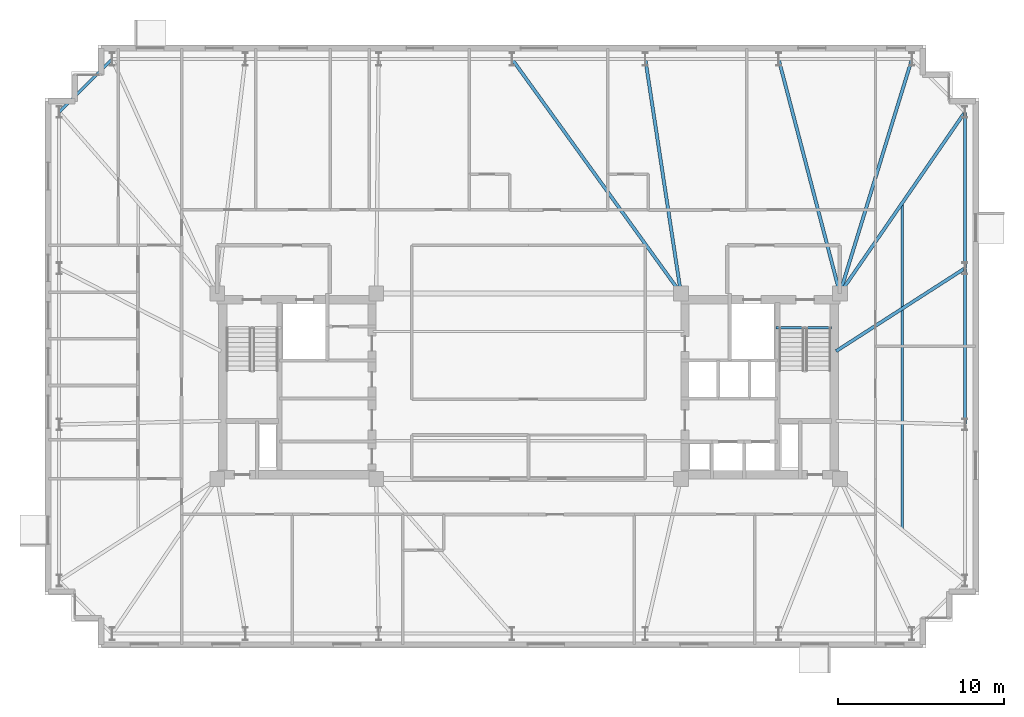
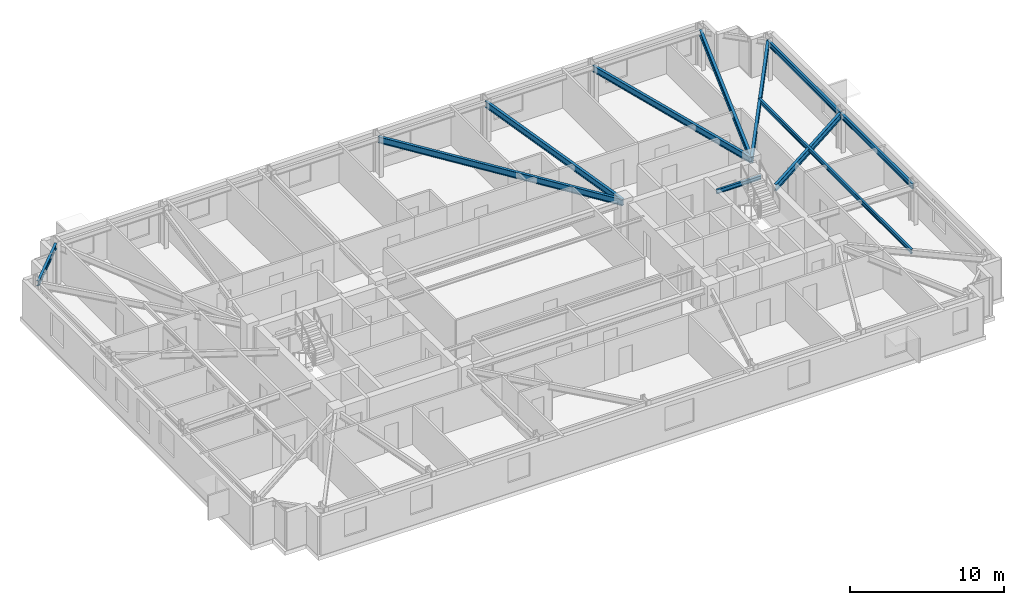
# One storey, part 6 of 17: 11 beams.
"""IFC4 building model written with IfcOpenShell, lengths in metres."""

from ifc_helpers import new_model, si_unit, direction, frame, origin, origin_2d, place, context, subcontext, project, spatial, i_section, extrude, material, material_profile, profile_set, type_object, element, save


model = new_model("IFC4")

# Units and contexts
model_context = context("Model", 3, precision=1e-05, world=origin(), true_north=direction((0.0, 1.0)))
body_context = subcontext(model_context, "Body", "Model", "MODEL_VIEW")
ifc_project = project(units=[si_unit("LENGTHUNIT", "METRE"), si_unit("AREAUNIT", "SQUARE_METRE"), si_unit("VOLUMEUNIT", "CUBIC_METRE"), si_unit("PLANEANGLEUNIT", "RADIAN"), si_unit("MASSUNIT", "GRAM", prefix="KILO")], contexts=[model_context])

# Site, building, storey
site_placement = place(None, origin())
site = spatial("IfcSite", under=ifc_project, at=site_placement, CompositionType="ELEMENT")
building_placement = place(site_placement, origin())
building = spatial("IfcBuilding", under=site, at=building_placement, Name="Qobustan Lattice House", CompositionType="ELEMENT")
storey_placement = place(building_placement, frame((0.0, 0.0, 167.85009765625)))
storey = spatial("IfcBuildingStorey", under=building, at=storey_placement, Name="L47", CompositionType="ELEMENT", Elevation=167.85009765625)

# Beams
ifc_material_1 = material(Name="Steel S355", Category="steel")
ifc_material_profile_1 = material_profile(ifc_material_1, i_section(OverallWidth=0.199951171875, OverallDepth=0.5, WebThickness=0.01025390625, FlangeThickness=0.01611328125, FilletRadius=0.02099609375, at=origin_2d()), Name="IPE500")
ifc_profile_set_1 = profile_set([ifc_material_profile_1], Name="Steel S355")
beam_type_1 = type_object("IfcBeamType", Name="BM-FLG-IPE500", PredefinedType="USERDEFINED", material=ifc_profile_set_1)
beam_1_placement = place(storey_placement, frame((-0.9853515625, 19.729736328125, 2.789794921875), z_axis=(0.584755393146, -0.811209670916, 0.0), x_axis=(0.811209670916, 0.584755393146, 0.0)))
element("IfcBeam", 1, at=beam_1_placement, inside=storey, type_object=beam_type_1, Name="L47 primary floor girder RAD-N4", ObjectType="GIRDER", PredefinedType="USERDEFINED", context=body_context, shape_type="SweptSolid", body=[
    extrude(i_section(OverallWidth=0.199951171875, OverallDepth=0.5, WebThickness=0.01025390625, FlangeThickness=0.01611328125, FilletRadius=0.02099609375, at=origin_2d()), origin(), (0.0, 0.0, 1.0), 17.39306640625),
])
beam_2_placement = place(storey_placement, frame((7.0537109375, 19.725341796875, 2.789794921875), z_axis=(0.150225226731, -0.988651799803, 0.0), x_axis=(0.988651799803, 0.150225226731, 0.0)))
element("IfcBeam", 2, at=beam_2_placement, inside=storey, type_object=beam_type_1, Name="L47 primary floor girder RAD-N3", ObjectType="GIRDER", PredefinedType="USERDEFINED", context=body_context, shape_type="SweptSolid", body=[
    extrude(i_section(OverallWidth=0.199951171875, OverallDepth=0.5, WebThickness=0.01025390625, FlangeThickness=0.01611328125, FilletRadius=0.02099609375, at=origin_2d()), origin(), (0.0, 0.0, 1.0), 14.262451171875),
])
beam_3_placement = place(storey_placement, frame((15.106201171875, 19.725830078125, 2.789794921875), z_axis=(0.252989153576, -0.967469114842, 0.0), x_axis=(0.967469114842, 0.252989153576, 0.0)))
element("IfcBeam", 3, at=beam_3_placement, inside=storey, type_object=beam_type_1, Name="L47 primary floor girder RAD-N2", ObjectType="GIRDER", PredefinedType="USERDEFINED", context=body_context, shape_type="SweptSolid", body=[
    extrude(i_section(OverallWidth=0.199951171875, OverallDepth=0.5, WebThickness=0.01025390625, FlangeThickness=0.01611328125, FilletRadius=0.02099609375, at=origin_2d()), origin(), (0.0, 0.0, 1.0), 14.57568359375),
])
beam_4_placement = place(storey_placement, frame((23.142578125, 19.72607421875, 2.789794921875), z_axis=(-0.293840483469, -0.955854471285, 0.0), x_axis=(0.955854471285, -0.293840483469, 0.0)))
element("IfcBeam", 4, at=beam_4_placement, inside=storey, type_object=beam_type_1, Name="L47 primary floor girder RAD-N1E", ObjectType="GIRDER", PredefinedType="USERDEFINED", context=body_context, shape_type="SweptSolid", body=[
    extrude(i_section(OverallWidth=0.199951171875, OverallDepth=0.5, WebThickness=0.01025390625, FlangeThickness=0.01611328125, FilletRadius=0.02099609375, at=origin_2d()), origin(), (0.0, 0.0, 1.0), 14.753662109375),
])
beam_5_placement = place(storey_placement, frame((26.335693359375, 16.529296875, 2.789794921875), z_axis=(-0.567643395011, -0.82327454479, 0.0), x_axis=(0.82327454479, -0.567643395011, 0.0)))
element("IfcBeam", 5, at=beam_5_placement, inside=storey, type_object=beam_type_1, Name="L47 primary floor girder RAD-E4", ObjectType="GIRDER", PredefinedType="USERDEFINED", context=body_context, shape_type="SweptSolid", body=[
    extrude(i_section(OverallWidth=0.199951171875, OverallDepth=0.5, WebThickness=0.01025390625, FlangeThickness=0.01611328125, FilletRadius=0.02099609375, at=origin_2d()), origin(), (0.0, 0.0, 1.0), 13.25048828125),
])
beam_6_placement = place(storey_placement, frame((26.3291015625, 7.103271484375, 2.789794921875), z_axis=(-0.841058920931, -0.540943519715, 0.0), x_axis=(0.540943519715, -0.841058920931, 0.0)))
element("IfcBeam", 6, at=beam_6_placement, inside=storey, type_object=beam_type_1, Name="L47 primary floor girder RAD-E3", ObjectType="GIRDER", PredefinedType="USERDEFINED", context=body_context, shape_type="SweptSolid", body=[
    extrude(i_section(OverallWidth=0.199951171875, OverallDepth=0.5, WebThickness=0.01025390625, FlangeThickness=0.01611328125, FilletRadius=0.02099609375, at=origin_2d()), origin(), (0.0, 0.0, 1.0), 9.22412109375),
])
ifc_material_2 = material(Name="Steel S355", Category="steel")
ifc_material_profile_2 = material_profile(ifc_material_2, i_section(OverallWidth=0.159912109375, OverallDepth=0.330078125, WebThickness=0.007568359375, FlangeThickness=0.011474609375, FilletRadius=0.01806640625, at=origin_2d()), Name="IPE330")
ifc_profile_set_2 = profile_set([ifc_material_profile_2], Name="Steel S355")
beam_type_2 = type_object("IfcBeamType", Name="BM-SEC-IPE330", PredefinedType="BEAM", material=ifc_profile_set_2)
beam_7_placement = place(storey_placement, frame((22.574951171875, 11.074951171875, 2.875), z_axis=(0.0, -1.0, 0.0), x_axis=(1.0, 0.0, 0.0)))
element("IfcBeam", 7, at=beam_7_placement, inside=storey, type_object=beam_type_2, Name="L47 east wing secondary beam", PredefinedType="BEAM", context=body_context, shape_type="SweptSolid", body=[
    extrude(i_section(OverallWidth=0.159912109375, OverallDepth=0.330078125, WebThickness=0.007568359375, FlangeThickness=0.011474609375, FilletRadius=0.01806640625, at=origin_2d()), origin(), (0.0, 0.0, 1.0), 19.75),
])
ifc_material_3 = material(Name="Steel S355", Category="steel")
ifc_material_profile_3 = material_profile(ifc_material_3, i_section(OverallWidth=0.159912109375, OverallDepth=0.330078125, WebThickness=0.007568359375, FlangeThickness=0.011474609375, FilletRadius=0.01806640625, at=origin_2d()), Name="IPE330")
ifc_profile_set_3 = profile_set([ifc_material_profile_3], Name="Steel S355")
beam_type_3 = type_object("IfcBeamType", Name="BM-SPD-IPE330", PredefinedType="SPANDREL", material=ifc_profile_set_3)
beam_8_placement = place(storey_placement, frame((14.949951171875, 3.52001953125, 2.875), z_axis=(1.0, 0.0, 0.0), x_axis=(0.0, 1.0, 0.0)))
element("IfcBeam", 8, at=beam_8_placement, inside=storey, type_object=beam_type_3, Name="L47 east stair landing trimmer beam", PredefinedType="SPANDREL", context=body_context, shape_type="SweptSolid", body=[
    extrude(i_section(OverallWidth=0.159912109375, OverallDepth=0.330078125, WebThickness=0.007568359375, FlangeThickness=0.011474609375, FilletRadius=0.01806640625, at=origin_2d()), origin(), (0.0, 0.0, 1.0), 3.35009765625),
])
ifc_material_4 = material(Name="Steel S355", Category="steel")
ifc_material_profile_4 = material_profile(ifc_material_4, i_section(OverallWidth=0.179931640625, OverallDepth=0.39990234375, WebThickness=0.008544921875, FlangeThickness=0.013427734375, FilletRadius=0.02099609375, at=origin_2d()), Name="IPE400")
ifc_profile_set_4 = profile_set([ifc_material_profile_4], Name="Steel S355")
beam_type_4 = type_object("IfcBeamType", Name="BM-SPD-IPE400", PredefinedType="SPANDREL", material=ifc_profile_set_4)
beam_9_placement = place(storey_placement, frame((26.35009765625, -2.291748046875, 2.83984375), z_axis=(0.0, 1.0, 0.0), x_axis=(-1.0, 0.0, 0.0)))
element("IfcBeam", 9, at=beam_9_placement, inside=storey, type_object=beam_type_4, Name="L47 perimeter spandrel E2-E3", PredefinedType="SPANDREL", context=body_context, shape_type="SweptSolid", body=[
    extrude(i_section(OverallWidth=0.179931640625, OverallDepth=0.39990234375, WebThickness=0.008544921875, FlangeThickness=0.013427734375, FilletRadius=0.02099609375, at=origin_2d()), origin(), (0.0, 0.0, 1.0), 9.383544921875),
])
beam_10_placement = place(storey_placement, frame((26.35009765625, 7.1416015625, 2.83984375), z_axis=(0.0, 1.0, 0.0), x_axis=(-1.0, 0.0, 0.0)))
element("IfcBeam", 10, at=beam_10_placement, inside=storey, type_object=beam_type_4, Name="L47 perimeter spandrel E3-E4", PredefinedType="SPANDREL", context=body_context, shape_type="SweptSolid", body=[
    extrude(i_section(OverallWidth=0.179931640625, OverallDepth=0.39990234375, WebThickness=0.008544921875, FlangeThickness=0.013427734375, FilletRadius=0.02099609375, at=origin_2d()), origin(), (0.0, 0.0, 1.0), 9.38330078125),
])
beam_11_placement = place(storey_placement, frame((-25.167724609375, 19.732421875, 2.83984375), z_axis=(-0.707079505568, -0.707134055753, 0.0), x_axis=(0.707134055753, -0.707079505568, 0.0)))
element("IfcBeam", 11, at=beam_11_placement, inside=storey, type_object=beam_type_4, Name="L47 perimeter spandrel N7-W1", PredefinedType="SPANDREL", context=body_context, shape_type="SweptSolid", body=[
    extrude(i_section(OverallWidth=0.179931640625, OverallDepth=0.39990234375, WebThickness=0.008544921875, FlangeThickness=0.013427734375, FilletRadius=0.02099609375, at=origin_2d()), origin(), (0.0, 0.0, 1.0), 4.4755859375),
])

save(model, "model.ifc")
